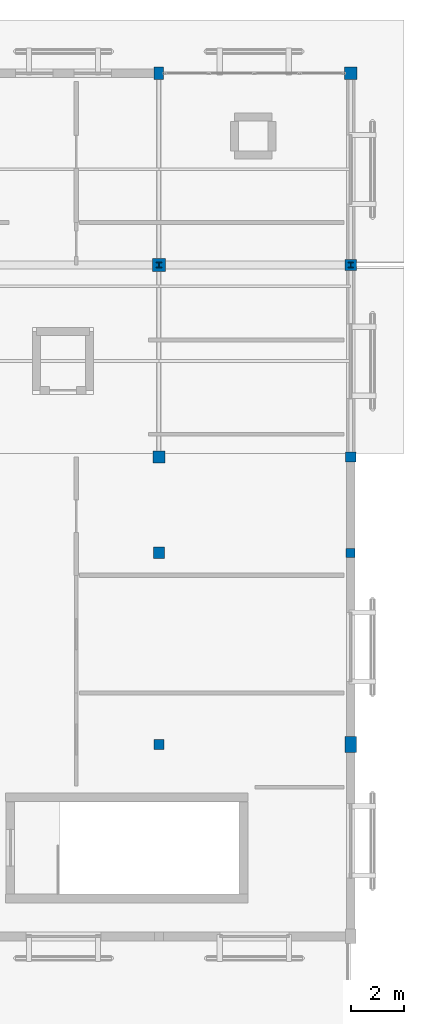
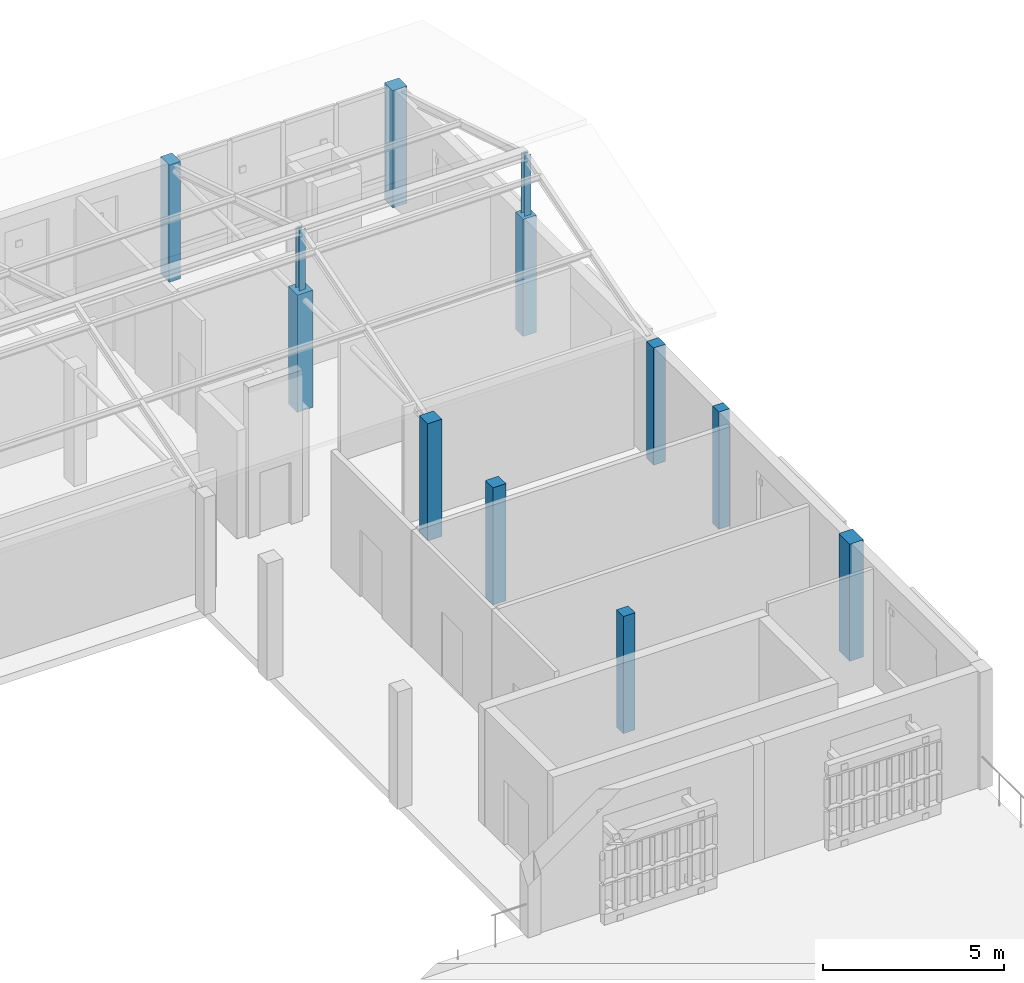
# One storey, part 8 of 61: 12 columns.
"""IFC4 building model written with IfcOpenShell, lengths in metres."""

from ifc_helpers import new_model, si_unit, direction, frame, origin, origin_2d, place, context, subcontext, project, spatial, rectangle, i_section, extrude, material, material_profile, profile_set, type_object, element, save


model = new_model("IFC4")

# Units and contexts
model_context = context("Model", 3, precision=1e-05, world=origin(), true_north=direction((0.0, 1.0)))
body_context = subcontext(model_context, "Body", "Model", "MODEL_VIEW")
ifc_project = project(units=[si_unit("LENGTHUNIT", "METRE"), si_unit("AREAUNIT", "SQUARE_METRE"), si_unit("VOLUMEUNIT", "CUBIC_METRE"), si_unit("PLANEANGLEUNIT", "RADIAN"), si_unit("MASSUNIT", "GRAM", prefix="KILO")], contexts=[model_context])

# Site, building, storey
site_placement = place(None, origin())
site = spatial("IfcSite", under=ifc_project, at=site_placement, CompositionType="ELEMENT")
building_placement = place(site_placement, origin())
building = spatial("IfcBuilding", under=site, at=building_placement, Name="Mazaris Harbour Polytechnic", CompositionType="ELEMENT")
storey_placement = place(building_placement, frame((0.0, 0.0, 18.0)))
storey = spatial("IfcBuildingStorey", under=building, at=storey_placement, Name="L04", CompositionType="ELEMENT", Elevation=18.0)

# Columns
ifc_material_1 = material(Name="Glulam GL28h", Category="wood")
ifc_material_profile_1 = material_profile(ifc_material_1, rectangle(XDim=0.340087890625, YDim=0.340087890625, at=origin_2d()), Name="RECT340x340")
ifc_profile_set_1 = profile_set([ifc_material_profile_1], Name="Glulam GL28h")
column_type_1 = type_object("IfcColumnType", Name="Glulam Column 340x340 Exterior", PredefinedType="COLUMN", material=ifc_profile_set_1)
column_1_placement = place(storey_placement, frame((172.800048828125, 82.800048828125, 0.0), z_axis=(0.0, 0.0, 1.0), x_axis=(1.0, 0.0, 0.0)))
element("IfcColumn", 1, at=column_1_placement, inside=storey, type_object=column_type_1, Name="V5 L04 Column 1504", PredefinedType="COLUMN", context=body_context, shape_type="SweptSolid", body=[
    extrude(rectangle(XDim=0.340087890625, YDim=0.340087890625, at=origin_2d()), origin(), (0.0, 0.0, 1.0), 3.9599609375),
])
ifc_material_2 = material(Name="Glulam GL28h", Category="wood")
ifc_material_profile_2 = material_profile(ifc_material_2, rectangle(XDim=0.360107421875, YDim=0.47998046875, at=origin_2d()), Name="RECT360x480")
ifc_profile_set_2 = profile_set([ifc_material_profile_2], Name="Glulam GL28h")
column_type_2 = type_object("IfcColumnType", Name="Glulam Column 360x480 Exterior", PredefinedType="COLUMN", material=ifc_profile_set_2)
column_2_placement = place(storey_placement, frame((165.60009765625, 100.800048828125, 0.0), z_axis=(0.0, 0.0, 1.0), x_axis=(1.0, 0.0, 0.0)))
element("IfcColumn", 2, at=column_2_placement, inside=storey, type_object=column_type_2, Name="V5 L04 Column 1501", PredefinedType="COLUMN", context=body_context, shape_type="SweptSolid", body=[
    extrude(rectangle(XDim=0.360107421875, YDim=0.47998046875, at=origin_2d()), origin(), (0.0, 0.0, 1.0), 3.9599609375),
])
ifc_material_3 = material(Name="Glulam GL28h", Category="wood")
ifc_material_profile_3 = material_profile(ifc_material_3, rectangle(XDim=0.3798828125, YDim=0.3798828125, at=origin_2d()), Name="RECT380x380")
ifc_profile_set_3 = profile_set([ifc_material_profile_3], Name="Glulam GL28h")
column_type_3 = type_object("IfcColumnType", Name="Glulam Column 380x380", PredefinedType="COLUMN", material=ifc_profile_set_3)
column_3_placement = place(storey_placement, frame((165.60009765625, 75.60009765625, 0.0), z_axis=(0.0, 0.0, 1.0), x_axis=(1.0, 0.0, 0.0)))
element("IfcColumn", 3, at=column_3_placement, inside=storey, type_object=column_type_3, Name="V5 L04 Column 1497", PredefinedType="COLUMN", context=body_context, shape_type="SweptSolid", body=[
    extrude(rectangle(XDim=0.3798828125, YDim=0.3798828125, at=origin_2d()), origin(), (0.0, 0.0, 1.0), 3.9599609375),
])
ifc_material_4 = material(Name="Glulam GL28h", Category="wood")
ifc_material_profile_4 = material_profile(ifc_material_4, rectangle(XDim=0.3798828125, YDim=0.3798828125, at=origin_2d()), Name="RECT380x380")
ifc_profile_set_4 = profile_set([ifc_material_profile_4], Name="Glulam GL28h")
column_type_4 = type_object("IfcColumnType", Name="Glulam Column 380x380 Exterior", PredefinedType="COLUMN", material=ifc_profile_set_4)
column_4_placement = place(storey_placement, frame((172.800048828125, 86.39990234375, 0.0), z_axis=(0.0, 0.0, 1.0), x_axis=(1.0, 0.0, 0.0)))
element("IfcColumn", 4, at=column_4_placement, inside=storey, type_object=column_type_4, Name="V5 L04 Column 1505", PredefinedType="COLUMN", context=body_context, shape_type="SweptSolid", body=[
    extrude(rectangle(XDim=0.3798828125, YDim=0.3798828125, at=origin_2d()), origin(), (0.0, 0.0, 1.0), 3.9599609375),
])
ifc_material_5 = material(Name="Glulam GL28h", Category="wood")
ifc_material_profile_5 = material_profile(ifc_material_5, rectangle(XDim=0.419921875, YDim=0.419921875, at=origin_2d()), Name="RECT420x420")
ifc_profile_set_5 = profile_set([ifc_material_profile_5], Name="Glulam GL28h")
column_type_5 = type_object("IfcColumnType", Name="Glulam Column 420x420", PredefinedType="COLUMN", material=ifc_profile_set_5)
column_5_placement = place(storey_placement, frame((165.60009765625, 82.800048828125, 0.0), z_axis=(0.0, 0.0, 1.0), x_axis=(1.0, 0.0, 0.0)))
element("IfcColumn", 5, at=column_5_placement, inside=storey, type_object=column_type_5, Name="V5 L04 Column 1498", PredefinedType="COLUMN", context=body_context, shape_type="SweptSolid", body=[
    extrude(rectangle(XDim=0.419921875, YDim=0.419921875, at=origin_2d()), origin(), (0.0, 0.0, 1.0), 3.9599609375),
])
ifc_material_6 = material(Name="Glulam GL28h", Category="wood")
ifc_material_profile_6 = material_profile(ifc_material_6, rectangle(XDim=0.419921875, YDim=0.419921875, at=origin_2d()), Name="RECT420x420")
ifc_profile_set_6 = profile_set([ifc_material_profile_6], Name="Glulam GL28h")
column_type_6 = type_object("IfcColumnType", Name="Glulam Column 420x420 Exterior", PredefinedType="COLUMN", material=ifc_profile_set_6)
column_6_placement = place(storey_placement, frame((172.800048828125, 93.60009765625, 0.0), z_axis=(0.0, 0.0, 1.0), x_axis=(1.0, 0.0, 0.0)))
element("IfcColumn", 6, at=column_6_placement, inside=storey, type_object=column_type_6, Name="V5 L04 Column 1506", PredefinedType="COLUMN", context=body_context, shape_type="SweptSolid", body=[
    extrude(rectangle(XDim=0.419921875, YDim=0.419921875, at=origin_2d()), origin(), (0.0, 0.0, 1.0), 3.9599609375),
])
ifc_material_7 = material(Name="Glulam GL28h", Category="wood")
ifc_material_profile_7 = material_profile(ifc_material_7, rectangle(XDim=0.43994140625, YDim=0.60009765625, at=origin_2d()), Name="RECT440x600")
ifc_profile_set_7 = profile_set([ifc_material_profile_7], Name="Glulam GL28h")
column_type_7 = type_object("IfcColumnType", Name="Glulam Column 440x600 Exterior", PredefinedType="COLUMN", material=ifc_profile_set_7)
column_7_placement = place(storey_placement, frame((172.800048828125, 75.60009765625, 0.0), z_axis=(0.0, 0.0, 1.0), x_axis=(1.0, 0.0, 0.0)))
element("IfcColumn", 7, at=column_7_placement, inside=storey, type_object=column_type_7, Name="V5 L04 Column 1503", PredefinedType="COLUMN", context=body_context, shape_type="SweptSolid", body=[
    extrude(rectangle(XDim=0.43994140625, YDim=0.60009765625, at=origin_2d()), origin(), (0.0, 0.0, 1.0), 3.9599609375),
])
ifc_material_8 = material(Name="Glulam GL28h", Category="wood")
ifc_material_profile_8 = material_profile(ifc_material_8, rectangle(XDim=0.4599609375, YDim=0.4599609375, at=origin_2d()), Name="RECT460x460")
ifc_profile_set_8 = profile_set([ifc_material_profile_8], Name="Glulam GL28h")
column_type_8 = type_object("IfcColumnType", Name="Glulam Column 460x460", PredefinedType="COLUMN", material=ifc_profile_set_8)
column_8_placement = place(storey_placement, frame((165.60009765625, 86.39990234375, 0.0), z_axis=(0.0, 0.0, 1.0), x_axis=(1.0, 0.0, 0.0)))
element("IfcColumn", 8, at=column_8_placement, inside=storey, type_object=column_type_8, Name="V5 L04 Column 1499", PredefinedType="COLUMN", context=body_context, shape_type="SweptSolid", body=[
    extrude(rectangle(XDim=0.4599609375, YDim=0.4599609375, at=origin_2d()), origin(), (0.0, 0.0, 1.0), 3.9599609375),
])
ifc_material_9 = material(Name="Glulam GL28h", Category="wood")
ifc_material_profile_9 = material_profile(ifc_material_9, rectangle(XDim=0.4599609375, YDim=0.4599609375, at=origin_2d()), Name="RECT460x460")
ifc_profile_set_9 = profile_set([ifc_material_profile_9], Name="Glulam GL28h")
column_type_9 = type_object("IfcColumnType", Name="Glulam Column 460x460 Exterior", PredefinedType="COLUMN", material=ifc_profile_set_9)
column_9_placement = place(storey_placement, frame((172.800048828125, 100.800048828125, 0.0), z_axis=(0.0, 0.0, 1.0), x_axis=(1.0, 0.0, 0.0)))
element("IfcColumn", 9, at=column_9_placement, inside=storey, type_object=column_type_9, Name="V5 L04 Column 1507", PredefinedType="COLUMN", context=body_context, shape_type="SweptSolid", body=[
    extrude(rectangle(XDim=0.4599609375, YDim=0.4599609375, at=origin_2d()), origin(), (0.0, 0.0, 1.0), 3.9599609375),
])
ifc_material_10 = material(Name="Glulam GL28h", Category="wood")
ifc_material_profile_10 = material_profile(ifc_material_10, rectangle(XDim=0.5, YDim=0.5, at=origin_2d()), Name="RECT500x500")
ifc_profile_set_10 = profile_set([ifc_material_profile_10], Name="Glulam GL28h")
column_type_10 = type_object("IfcColumnType", Name="Glulam Column 500x500", PredefinedType="COLUMN", material=ifc_profile_set_10)
column_10_placement = place(storey_placement, frame((165.60009765625, 93.60009765625, 0.0), z_axis=(0.0, 0.0, 1.0), x_axis=(1.0, 0.0, 0.0)))
element("IfcColumn", 10, at=column_10_placement, inside=storey, type_object=column_type_10, Name="V5 L04 Column 1500", PredefinedType="COLUMN", context=body_context, shape_type="SweptSolid", body=[
    extrude(rectangle(XDim=0.5, YDim=0.5, at=origin_2d()), origin(), (0.0, 0.0, 1.0), 3.9599609375),
])
ifc_material_11 = material(Name="Steel S355", Category="steel")
ifc_material_profile_11 = material_profile(ifc_material_11, i_section(OverallWidth=0.199951171875, OverallDepth=0.199951171875, WebThickness=0.009033203125, FlangeThickness=0.014892578125, FilletRadius=0.01806640625, at=origin_2d()), Name="HEB 200")
ifc_profile_set_11 = profile_set([ifc_material_profile_11], Name="Steel S355")
column_type_11 = type_object("IfcColumnType", Name="Steel Column HEB200", PredefinedType="COLUMN", material=ifc_profile_set_11)
for number, where, z_axis, x_axis, name in (
    (11, (165.60009765625, 93.60009765625, 3.9599609375), (0.0, 0.0, 1.0), (1.0, 0.0, 0.0), "V5 Studio Ridge King Post 165.6"),
    (12, (172.800048828125, 93.60009765625, 3.9599609375), (0.0, 0.0, 1.0), (1.0, 0.0, 0.0), "V5 Studio Ridge King Post 172.8"),
):
    element("IfcColumn", number, at=place(storey_placement, frame(where, z_axis=z_axis, x_axis=x_axis)), inside=storey, type_object=column_type_11, Name=name, PredefinedType="COLUMN", context=body_context, shape_type="SweptSolid", body=[
        extrude(i_section(OverallWidth=0.199951171875, OverallDepth=0.199951171875, WebThickness=0.009033203125, FlangeThickness=0.014892578125, FilletRadius=0.01806640625, at=origin_2d()), origin(), (0.0, 0.0, 1.0), 2.0400390625),
    ])

save(model, "model.ifc")
